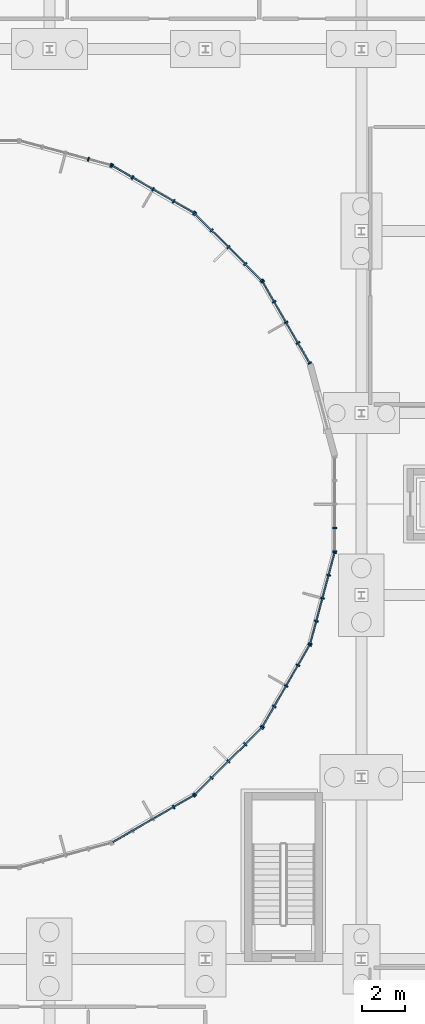
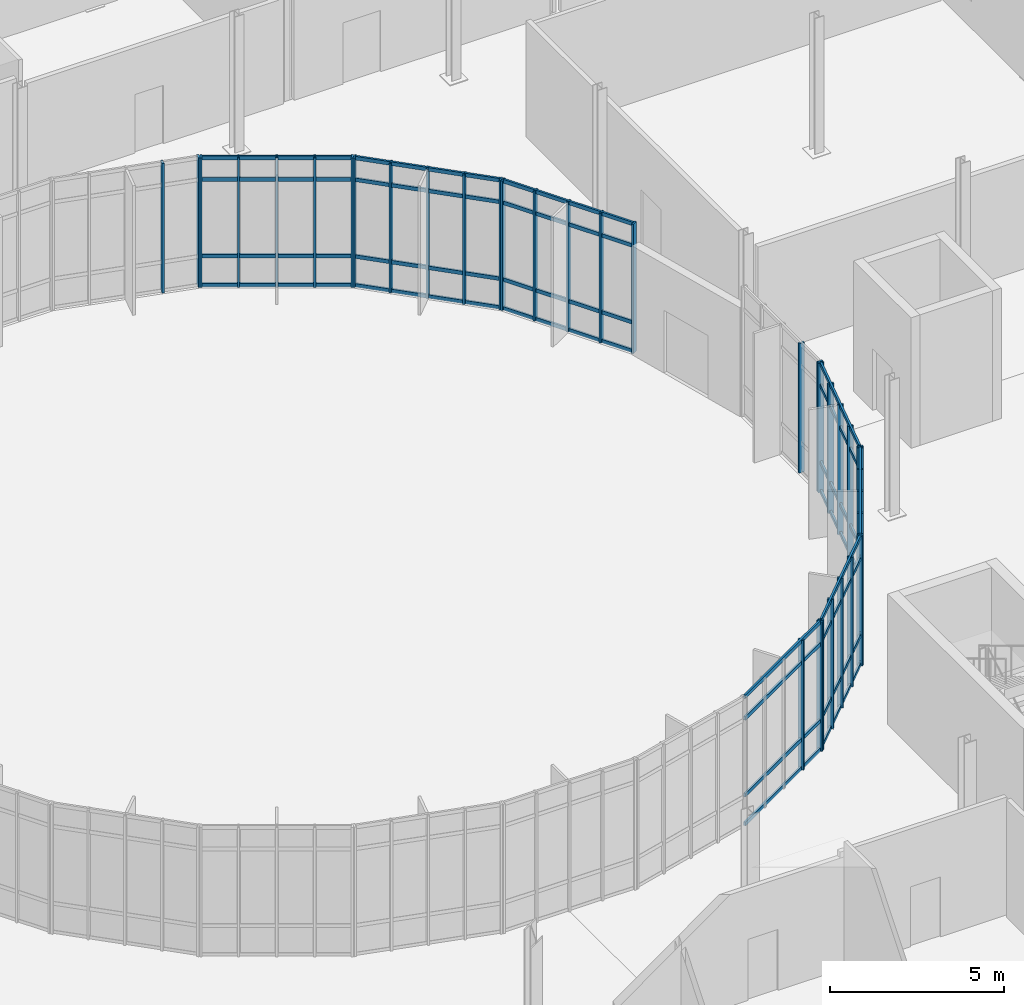
# One storey, part 51 of 118: 64 members, 9 elements without a shape of their own.
"""IFC4 building model written with IfcOpenShell, lengths in metres."""

from ifc_helpers import new_model, si_unit, direction, frame, origin, origin_2d, place, context, subcontext, project, spatial, rectangle, extrude, material, material_profile, profile_set, type_object, element, aggregate, save


model = new_model("IFC4")

# Units and contexts
model_context = context("Model", 3, precision=1e-05, world=origin(), true_north=direction((0.0, 1.0)))
body_context = subcontext(model_context, "Body", "Model", "MODEL_VIEW")
ifc_project = project(units=[si_unit("LENGTHUNIT", "METRE"), si_unit("AREAUNIT", "SQUARE_METRE"), si_unit("VOLUMEUNIT", "CUBIC_METRE"), si_unit("PLANEANGLEUNIT", "RADIAN"), si_unit("MASSUNIT", "GRAM", prefix="KILO")], contexts=[model_context])

# Site, building, storey
site_placement = place(None, origin())
site = spatial("IfcSite", under=ifc_project, at=site_placement, CompositionType="ELEMENT")
building_placement = place(site_placement, origin())
building = spatial("IfcBuilding", under=site, at=building_placement, Name="Qelthora Terrace Specialist Clinic", CompositionType="ELEMENT")
storey_placement = place(building_placement, origin())
storey = spatial("IfcBuildingStorey", under=building, at=storey_placement, Name="L00", CompositionType="ELEMENT", Elevation=0.0)

# Curtain wall, members
ifc_material = material(Name="Aluminium anodized bronze", Category="aluminium")
curtain_wall_type = type_object("IfcCurtainWallType", Name="CW-CRTE-L00", PredefinedType="NOTDEFINED", material=ifc_material)
curtain_wall_1_placement = place(storey_placement, origin())
curtain_wall_1 = element("IfcCurtainWall", 1, at=curtain_wall_1_placement, inside=storey, type_object=curtain_wall_type, Name="Curtain wall CW-CE-L00-02", PredefinedType="NOTDEFINED")
ifc_material_profile_1 = material_profile(ifc_material, rectangle(XDim=0.06494140625, YDim=0.179931640625, at=origin_2d()), Name="CWM65X180")
ifc_profile_set_1 = profile_set([ifc_material_profile_1], Name="Aluminium anodized bronze")
member_type_1 = type_object("IfcMemberType", Name="CWM-65X180", PredefinedType="MULLION", material=ifc_profile_set_1)
member_1_placement = place(storey_placement, frame((141.614990234375, 69.50634765625, 0.0), z_axis=(0.0, 0.0, 1.0), x_axis=(-0.500000028915, 0.86602538709, 0.0)))
member_1 = element("IfcMember", 2, at=member_1_placement, type_object=member_type_1, Name="CW-CE-L00-02 mullion 1", PredefinedType="MULLION", context=body_context, shape_type="SweptSolid", body=[
    extrude(rectangle(XDim=0.06494140625, YDim=0.179931640625, at=origin_2d()), origin(), (0.0, 0.0, 1.0), 4.544921875),
])
member_2_placement = place(storey_placement, frame((141.076904296875, 70.438720703125, 0.0), z_axis=(0.0, 0.0, 1.0), x_axis=(-0.500000028915, 0.86602538709, 0.0)))
member_2 = element("IfcMember", 3, at=member_2_placement, type_object=member_type_1, Name="CW-CE-L00-02 mullion 2", PredefinedType="MULLION", context=body_context, shape_type="SweptSolid", body=[
    extrude(rectangle(XDim=0.06494140625, YDim=0.179931640625, at=origin_2d()), origin(), (0.0, 0.0, 1.0), 4.544921875),
])
member_3_placement = place(storey_placement, frame((140.528564453125, 71.38818359375, 0.0), z_axis=(0.0, 0.0, 1.0), x_axis=(-0.500000028915, 0.86602538709, 0.0)))
member_3 = element("IfcMember", 4, at=member_3_placement, type_object=member_type_1, Name="CW-CE-L00-02 mullion 3", PredefinedType="MULLION", context=body_context, shape_type="SweptSolid", body=[
    extrude(rectangle(XDim=0.06494140625, YDim=0.179931640625, at=origin_2d()), origin(), (0.0, 0.0, 1.0), 4.544921875),
])
member_4_placement = place(storey_placement, frame((139.98046875, 72.337646484375, 0.0), z_axis=(0.0, 0.0, 1.0), x_axis=(-0.500000028915, 0.86602538709, 0.0)))
member_4 = element("IfcMember", 5, at=member_4_placement, type_object=member_type_1, Name="CW-CE-L00-02 mullion 4", PredefinedType="MULLION", context=body_context, shape_type="SweptSolid", body=[
    extrude(rectangle(XDim=0.06494140625, YDim=0.179931640625, at=origin_2d()), origin(), (0.0, 0.0, 1.0), 4.544921875),
])
member_5_placement = place(storey_placement, frame((139.442138671875, 73.269775390625, 0.0), z_axis=(0.0, 0.0, 1.0), x_axis=(-0.500000028915, 0.86602538709, 0.0)))
member_5 = element("IfcMember", 6, at=member_5_placement, type_object=member_type_1, Name="CW-CE-L00-02 mullion 5", PredefinedType="MULLION", context=body_context, shape_type="SweptSolid", body=[
    extrude(rectangle(XDim=0.06494140625, YDim=0.179931640625, at=origin_2d()), origin(), (0.0, 0.0, 1.0), 4.544921875),
])

curtain_wall_2_placement = place(storey_placement, origin())
curtain_wall_2 = element("IfcCurtainWall", 7, at=curtain_wall_2_placement, inside=storey, type_object=curtain_wall_type, Name="Curtain wall CW-CE-L00-03", PredefinedType="NOTDEFINED")
member_6_placement = place(storey_placement, frame((139.399169921875, 73.326171875, 0.0), z_axis=(0.0, 0.0, 1.0), x_axis=(-0.707106781187, 0.707106781187, 0.0)))
member_6 = element("IfcMember", 8, at=member_6_placement, type_object=member_type_1, Name="CW-CE-L00-03 mullion 1", PredefinedType="MULLION", context=body_context, shape_type="SweptSolid", body=[
    extrude(rectangle(XDim=0.06494140625, YDim=0.179931640625, at=origin_2d()), origin(), (0.0, 0.0, 1.0), 4.544921875),
])
member_7_placement = place(storey_placement, frame((138.637939453125, 74.08740234375, 0.0), z_axis=(0.0, 0.0, 1.0), x_axis=(-0.707106781187, 0.707106781187, 0.0)))
member_7 = element("IfcMember", 9, at=member_7_placement, type_object=member_type_1, Name="CW-CE-L00-03 mullion 2", PredefinedType="MULLION", context=body_context, shape_type="SweptSolid", body=[
    extrude(rectangle(XDim=0.06494140625, YDim=0.179931640625, at=origin_2d()), origin(), (0.0, 0.0, 1.0), 4.544921875),
])
member_8_placement = place(storey_placement, frame((137.862548828125, 74.862548828125, 0.0), z_axis=(0.0, 0.0, 1.0), x_axis=(-0.707106781187, 0.707106781187, 0.0)))
member_8 = element("IfcMember", 10, at=member_8_placement, type_object=member_type_1, Name="CW-CE-L00-03 mullion 3", PredefinedType="MULLION", context=body_context, shape_type="SweptSolid", body=[
    extrude(rectangle(XDim=0.06494140625, YDim=0.179931640625, at=origin_2d()), origin(), (0.0, 0.0, 1.0), 4.544921875),
])
member_9_placement = place(storey_placement, frame((137.08740234375, 75.637939453125, 0.0), z_axis=(0.0, 0.0, 1.0), x_axis=(-0.707106781187, 0.707106781187, 0.0)))
member_9 = element("IfcMember", 11, at=member_9_placement, type_object=member_type_1, Name="CW-CE-L00-03 mullion 4", PredefinedType="MULLION", context=body_context, shape_type="SweptSolid", body=[
    extrude(rectangle(XDim=0.06494140625, YDim=0.179931640625, at=origin_2d()), origin(), (0.0, 0.0, 1.0), 4.544921875),
])
member_10_placement = place(storey_placement, frame((136.326171875, 76.399169921875, 0.0), z_axis=(0.0, 0.0, 1.0), x_axis=(-0.707106781187, 0.707106781187, 0.0)))
member_10 = element("IfcMember", 12, at=member_10_placement, type_object=member_type_1, Name="CW-CE-L00-03 mullion 5", PredefinedType="MULLION", context=body_context, shape_type="SweptSolid", body=[
    extrude(rectangle(XDim=0.06494140625, YDim=0.179931640625, at=origin_2d()), origin(), (0.0, 0.0, 1.0), 4.544921875),
])

curtain_wall_3_placement = place(storey_placement, origin())
curtain_wall_3 = element("IfcCurtainWall", 13, at=curtain_wall_3_placement, inside=storey, type_object=curtain_wall_type, Name="Curtain wall CW-CE-L00-04", PredefinedType="NOTDEFINED")
member_11_placement = place(storey_placement, frame((136.269775390625, 76.442138671875, 0.0), z_axis=(0.0, 0.0, 1.0), x_axis=(-0.86602538709, 0.500000028915, 0.0)))
member_11 = element("IfcMember", 14, at=member_11_placement, type_object=member_type_1, Name="CW-CE-L00-04 mullion 1", PredefinedType="MULLION", context=body_context, shape_type="SweptSolid", body=[
    extrude(rectangle(XDim=0.06494140625, YDim=0.179931640625, at=origin_2d()), origin(), (0.0, 0.0, 1.0), 4.544921875),
])
member_12_placement = place(storey_placement, frame((135.337646484375, 76.98046875, 0.0), z_axis=(0.0, 0.0, 1.0), x_axis=(-0.86602538709, 0.500000028915, 0.0)))
member_12 = element("IfcMember", 15, at=member_12_placement, type_object=member_type_1, Name="CW-CE-L00-04 mullion 2", PredefinedType="MULLION", context=body_context, shape_type="SweptSolid", body=[
    extrude(rectangle(XDim=0.06494140625, YDim=0.179931640625, at=origin_2d()), origin(), (0.0, 0.0, 1.0), 4.544921875),
])
member_13_placement = place(storey_placement, frame((134.38818359375, 77.528564453125, 0.0), z_axis=(0.0, 0.0, 1.0), x_axis=(-0.86602538709, 0.500000028915, 0.0)))
member_13 = element("IfcMember", 16, at=member_13_placement, type_object=member_type_1, Name="CW-CE-L00-04 mullion 3", PredefinedType="MULLION", context=body_context, shape_type="SweptSolid", body=[
    extrude(rectangle(XDim=0.06494140625, YDim=0.179931640625, at=origin_2d()), origin(), (0.0, 0.0, 1.0), 4.544921875),
])
member_14_placement = place(storey_placement, frame((133.438720703125, 78.076904296875, 0.0), z_axis=(0.0, 0.0, 1.0), x_axis=(-0.86602538709, 0.500000028915, 0.0)))
member_14 = element("IfcMember", 17, at=member_14_placement, type_object=member_type_1, Name="CW-CE-L00-04 mullion 4", PredefinedType="MULLION", context=body_context, shape_type="SweptSolid", body=[
    extrude(rectangle(XDim=0.06494140625, YDim=0.179931640625, at=origin_2d()), origin(), (0.0, 0.0, 1.0), 4.544921875),
])
member_15_placement = place(storey_placement, frame((132.50634765625, 78.614990234375, 0.0), z_axis=(0.0, 0.0, 1.0), x_axis=(-0.86602538709, 0.500000028915, 0.0)))
member_15 = element("IfcMember", 18, at=member_15_placement, type_object=member_type_1, Name="CW-CE-L00-04 mullion 5", PredefinedType="MULLION", context=body_context, shape_type="SweptSolid", body=[
    extrude(rectangle(XDim=0.06494140625, YDim=0.179931640625, at=origin_2d()), origin(), (0.0, 0.0, 1.0), 4.544921875),
])

curtain_wall_4_placement = place(storey_placement, origin())
curtain_wall_4 = element("IfcCurtainWall", 19, at=curtain_wall_4_placement, inside=storey, type_object=curtain_wall_type, Name="Curtain wall CW-CE-L00-05", PredefinedType="NOTDEFINED")
member_16_placement = place(storey_placement, frame((132.44091796875, 78.642333984375, 0.0), z_axis=(0.0, 0.0, 1.0), x_axis=(-0.965925660235, 0.258819664824, 0.0)))
member_16 = element("IfcMember", 20, at=member_16_placement, type_object=member_type_1, Name="CW-CE-L00-05 mullion 1", PredefinedType="MULLION", context=body_context, shape_type="SweptSolid", body=[
    extrude(rectangle(XDim=0.06494140625, YDim=0.179931640625, at=origin_2d()), origin(), (0.0, 0.0, 1.0), 4.544921875),
])
member_17_placement = place(storey_placement, frame((131.401123046875, 78.9208984375, 0.0), z_axis=(0.0, 0.0, 1.0), x_axis=(-0.965925660235, 0.258819664824, 0.0)))
member_17 = element("IfcMember", 21, at=member_17_placement, type_object=member_type_1, Name="CW-CE-L00-05 mullion 2", PredefinedType="MULLION", context=body_context, shape_type="SweptSolid", body=[
    extrude(rectangle(XDim=0.06494140625, YDim=0.179931640625, at=origin_2d()), origin(), (0.0, 0.0, 1.0), 4.544921875),
])
aggregate(curtain_wall_4, [member_16, member_17])

curtain_wall_5_placement = place(storey_placement, origin())
curtain_wall_5 = element("IfcCurtainWall", 22, at=curtain_wall_5_placement, inside=storey, type_object=curtain_wall_type, Name="Curtain wall CW-CE-L00-20", PredefinedType="NOTDEFINED")
member_18_placement = place(storey_placement, frame((135.337646484375, 49.01953125, 0.0), z_axis=(0.0, 0.0, 1.0), x_axis=(0.86602538709, 0.500000028915, 0.0)))
member_18 = element("IfcMember", 23, at=member_18_placement, type_object=member_type_1, Name="CW-CE-L00-20 mullion 4", PredefinedType="MULLION", context=body_context, shape_type="SweptSolid", body=[
    extrude(rectangle(XDim=0.06494140625, YDim=0.179931640625, at=origin_2d()), origin(), (0.0, 0.0, 1.0), 4.544921875),
])
member_19_placement = place(storey_placement, frame((136.269775390625, 49.557861328125, 0.0), z_axis=(0.0, 0.0, 1.0), x_axis=(0.86602538709, 0.500000028915, 0.0)))
member_19 = element("IfcMember", 24, at=member_19_placement, type_object=member_type_1, Name="CW-CE-L00-20 mullion 5", PredefinedType="MULLION", context=body_context, shape_type="SweptSolid", body=[
    extrude(rectangle(XDim=0.06494140625, YDim=0.179931640625, at=origin_2d()), origin(), (0.0, 0.0, 1.0), 4.544921875),
])

curtain_wall_6_placement = place(storey_placement, origin())
curtain_wall_6 = element("IfcCurtainWall", 25, at=curtain_wall_6_placement, inside=storey, type_object=curtain_wall_type, Name="Curtain wall CW-CE-L00-21", PredefinedType="NOTDEFINED")
member_20_placement = place(storey_placement, frame((136.326171875, 49.600830078125, 0.0), z_axis=(0.0, 0.0, 1.0), x_axis=(0.707106781187, 0.707106781187, 0.0)))
member_20 = element("IfcMember", 26, at=member_20_placement, type_object=member_type_1, Name="CW-CE-L00-21 mullion 1", PredefinedType="MULLION", context=body_context, shape_type="SweptSolid", body=[
    extrude(rectangle(XDim=0.06494140625, YDim=0.179931640625, at=origin_2d()), origin(), (0.0, 0.0, 1.0), 4.544921875),
])
member_21_placement = place(storey_placement, frame((137.08740234375, 50.362060546875, 0.0), z_axis=(0.0, 0.0, 1.0), x_axis=(0.707106781187, 0.707106781187, 0.0)))
member_21 = element("IfcMember", 27, at=member_21_placement, type_object=member_type_1, Name="CW-CE-L00-21 mullion 2", PredefinedType="MULLION", context=body_context, shape_type="SweptSolid", body=[
    extrude(rectangle(XDim=0.06494140625, YDim=0.179931640625, at=origin_2d()), origin(), (0.0, 0.0, 1.0), 4.544921875),
])
member_22_placement = place(storey_placement, frame((137.862548828125, 51.137451171875, 0.0), z_axis=(0.0, 0.0, 1.0), x_axis=(0.707106781187, 0.707106781187, 0.0)))
member_22 = element("IfcMember", 28, at=member_22_placement, type_object=member_type_1, Name="CW-CE-L00-21 mullion 3", PredefinedType="MULLION", context=body_context, shape_type="SweptSolid", body=[
    extrude(rectangle(XDim=0.06494140625, YDim=0.179931640625, at=origin_2d()), origin(), (0.0, 0.0, 1.0), 4.544921875),
])
member_23_placement = place(storey_placement, frame((138.637939453125, 51.91259765625, 0.0), z_axis=(0.0, 0.0, 1.0), x_axis=(0.707106781187, 0.707106781187, 0.0)))
member_23 = element("IfcMember", 29, at=member_23_placement, type_object=member_type_1, Name="CW-CE-L00-21 mullion 4", PredefinedType="MULLION", context=body_context, shape_type="SweptSolid", body=[
    extrude(rectangle(XDim=0.06494140625, YDim=0.179931640625, at=origin_2d()), origin(), (0.0, 0.0, 1.0), 4.544921875),
])
member_24_placement = place(storey_placement, frame((139.399169921875, 52.673828125, 0.0), z_axis=(0.0, 0.0, 1.0), x_axis=(0.707106781187, 0.707106781187, 0.0)))
member_24 = element("IfcMember", 30, at=member_24_placement, type_object=member_type_1, Name="CW-CE-L00-21 mullion 5", PredefinedType="MULLION", context=body_context, shape_type="SweptSolid", body=[
    extrude(rectangle(XDim=0.06494140625, YDim=0.179931640625, at=origin_2d()), origin(), (0.0, 0.0, 1.0), 4.544921875),
])

curtain_wall_7_placement = place(storey_placement, origin())
curtain_wall_7 = element("IfcCurtainWall", 31, at=curtain_wall_7_placement, inside=storey, type_object=curtain_wall_type, Name="Curtain wall CW-CE-L00-22", PredefinedType="NOTDEFINED")
member_25_placement = place(storey_placement, frame((139.442138671875, 52.730224609375, 0.0), z_axis=(0.0, 0.0, 1.0), x_axis=(0.500000028915, 0.86602538709, 0.0)))
member_25 = element("IfcMember", 32, at=member_25_placement, type_object=member_type_1, Name="CW-CE-L00-22 mullion 1", PredefinedType="MULLION", context=body_context, shape_type="SweptSolid", body=[
    extrude(rectangle(XDim=0.06494140625, YDim=0.179931640625, at=origin_2d()), origin(), (0.0, 0.0, 1.0), 4.544921875),
])
member_26_placement = place(storey_placement, frame((139.98046875, 53.662353515625, 0.0), z_axis=(0.0, 0.0, 1.0), x_axis=(0.500000028915, 0.86602538709, 0.0)))
member_26 = element("IfcMember", 33, at=member_26_placement, type_object=member_type_1, Name="CW-CE-L00-22 mullion 2", PredefinedType="MULLION", context=body_context, shape_type="SweptSolid", body=[
    extrude(rectangle(XDim=0.06494140625, YDim=0.179931640625, at=origin_2d()), origin(), (0.0, 0.0, 1.0), 4.544921875),
])
member_27_placement = place(storey_placement, frame((140.528564453125, 54.61181640625, 0.0), z_axis=(0.0, 0.0, 1.0), x_axis=(0.500000028915, 0.86602538709, 0.0)))
member_27 = element("IfcMember", 34, at=member_27_placement, type_object=member_type_1, Name="CW-CE-L00-22 mullion 3", PredefinedType="MULLION", context=body_context, shape_type="SweptSolid", body=[
    extrude(rectangle(XDim=0.06494140625, YDim=0.179931640625, at=origin_2d()), origin(), (0.0, 0.0, 1.0), 4.544921875),
])
member_28_placement = place(storey_placement, frame((141.076904296875, 55.561279296875, 0.0), z_axis=(0.0, 0.0, 1.0), x_axis=(0.500000028915, 0.86602538709, 0.0)))
member_28 = element("IfcMember", 35, at=member_28_placement, type_object=member_type_1, Name="CW-CE-L00-22 mullion 4", PredefinedType="MULLION", context=body_context, shape_type="SweptSolid", body=[
    extrude(rectangle(XDim=0.06494140625, YDim=0.179931640625, at=origin_2d()), origin(), (0.0, 0.0, 1.0), 4.544921875),
])
member_29_placement = place(storey_placement, frame((141.614990234375, 56.49365234375, 0.0), z_axis=(0.0, 0.0, 1.0), x_axis=(0.500000028915, 0.86602538709, 0.0)))
member_29 = element("IfcMember", 36, at=member_29_placement, type_object=member_type_1, Name="CW-CE-L00-22 mullion 5", PredefinedType="MULLION", context=body_context, shape_type="SweptSolid", body=[
    extrude(rectangle(XDim=0.06494140625, YDim=0.179931640625, at=origin_2d()), origin(), (0.0, 0.0, 1.0), 4.544921875),
])

curtain_wall_8_placement = place(storey_placement, origin())
curtain_wall_8 = element("IfcCurtainWall", 37, at=curtain_wall_8_placement, inside=storey, type_object=curtain_wall_type, Name="Curtain wall CW-CE-L00-23", PredefinedType="NOTDEFINED")
member_30_placement = place(storey_placement, frame((141.642333984375, 56.55908203125, 0.0), z_axis=(0.0, 0.0, 1.0), x_axis=(0.258819664824, 0.965925660235, 0.0)))
member_30 = element("IfcMember", 38, at=member_30_placement, type_object=member_type_1, Name="CW-CE-L00-23 mullion 1", PredefinedType="MULLION", context=body_context, shape_type="SweptSolid", body=[
    extrude(rectangle(XDim=0.06494140625, YDim=0.179931640625, at=origin_2d()), origin(), (0.0, 0.0, 1.0), 4.544921875),
])
member_31_placement = place(storey_placement, frame((141.9208984375, 57.598876953125, 0.0), z_axis=(0.0, 0.0, 1.0), x_axis=(0.258819664824, 0.965925660235, 0.0)))
member_31 = element("IfcMember", 39, at=member_31_placement, type_object=member_type_1, Name="CW-CE-L00-23 mullion 2", PredefinedType="MULLION", context=body_context, shape_type="SweptSolid", body=[
    extrude(rectangle(XDim=0.06494140625, YDim=0.179931640625, at=origin_2d()), origin(), (0.0, 0.0, 1.0), 4.544921875),
])
member_32_placement = place(storey_placement, frame((142.20458984375, 58.657958984375, 0.0), z_axis=(0.0, 0.0, 1.0), x_axis=(0.258819664824, 0.965925660235, 0.0)))
member_32 = element("IfcMember", 40, at=member_32_placement, type_object=member_type_1, Name="CW-CE-L00-23 mullion 3", PredefinedType="MULLION", context=body_context, shape_type="SweptSolid", body=[
    extrude(rectangle(XDim=0.06494140625, YDim=0.179931640625, at=origin_2d()), origin(), (0.0, 0.0, 1.0), 4.544921875),
])
member_33_placement = place(storey_placement, frame((142.488525390625, 59.717041015625, 0.0), z_axis=(0.0, 0.0, 1.0), x_axis=(0.258819664824, 0.965925660235, 0.0)))
member_33 = element("IfcMember", 41, at=member_33_placement, type_object=member_type_1, Name="CW-CE-L00-23 mullion 4", PredefinedType="MULLION", context=body_context, shape_type="SweptSolid", body=[
    extrude(rectangle(XDim=0.06494140625, YDim=0.179931640625, at=origin_2d()), origin(), (0.0, 0.0, 1.0), 4.544921875),
])
member_34_placement = place(storey_placement, frame((142.76708984375, 60.7568359375, 0.0), z_axis=(0.0, 0.0, 1.0), x_axis=(0.258819664824, 0.965925660235, 0.0)))
member_34 = element("IfcMember", 42, at=member_34_placement, type_object=member_type_1, Name="CW-CE-L00-23 mullion 5", PredefinedType="MULLION", context=body_context, shape_type="SweptSolid", body=[
    extrude(rectangle(XDim=0.06494140625, YDim=0.179931640625, at=origin_2d()), origin(), (0.0, 0.0, 1.0), 4.544921875),
])

curtain_wall_9_placement = place(storey_placement, origin())
curtain_wall_9 = element("IfcCurtainWall", 43, at=curtain_wall_9_placement, inside=storey, type_object=curtain_wall_type, Name="Curtain wall CW-CE-L00-24", PredefinedType="NOTDEFINED")
member_35_placement = place(storey_placement, frame((142.7763671875, 60.8271484375, 0.0), z_axis=(0.0, 0.0, 1.0), x_axis=(0.0, 1.0, 0.0)))
member_35 = element("IfcMember", 44, at=member_35_placement, type_object=member_type_1, Name="CW-CE-L00-24 mullion 1", PredefinedType="MULLION", context=body_context, shape_type="SweptSolid", body=[
    extrude(rectangle(XDim=0.06494140625, YDim=0.179931640625, at=origin_2d()), origin(), (0.0, 0.0, 1.0), 4.544921875),
])
member_36_placement = place(storey_placement, frame((142.7763671875, 61.903564453125, 0.0), z_axis=(0.0, 0.0, 1.0), x_axis=(0.0, 1.0, 0.0)))
member_36 = element("IfcMember", 45, at=member_36_placement, type_object=member_type_1, Name="CW-CE-L00-24 mullion 2", PredefinedType="MULLION", context=body_context, shape_type="SweptSolid", body=[
    extrude(rectangle(XDim=0.06494140625, YDim=0.179931640625, at=origin_2d()), origin(), (0.0, 0.0, 1.0), 4.544921875),
])
aggregate(curtain_wall_9, [member_35, member_36])

# Member
ifc_material_profile_2 = material_profile(ifc_material, rectangle(XDim=0.06494140625, YDim=0.1298828125, at=origin_2d()), Name="CWT65X130")
ifc_profile_set_2 = profile_set([ifc_material_profile_2], Name="Aluminium anodized bronze")
member_type_2 = type_object("IfcMemberType", Name="CWT-65X130", PredefinedType="USERDEFINED", material=ifc_profile_set_2)
member_37_placement = place(storey_placement, frame((141.60498046875, 69.523681640625, 0.0400390625), z_axis=(-0.500005500391, 0.866022228109, 0.0), x_axis=(-0.866022228109, -0.500005500391, 0.0)))
member_37 = element("IfcMember", 46, at=member_37_placement, type_object=member_type_2, Name="CW-CE-L00-02 transom 1", ObjectType="TRANSOM", PredefinedType="USERDEFINED", context=body_context, shape_type="SweptSolid", body=[
    extrude(rectangle(XDim=0.06494140625, YDim=0.1298828125, at=origin_2d()), origin(), (0.0, 0.0, 1.0), 4.3056640625),
])

member_38_placement = place(storey_placement, frame((141.60498046875, 69.523681640625, 1.050048828125), z_axis=(-0.500005500391, 0.866022228109, 0.0), x_axis=(-0.866022228109, -0.500005500391, 0.0)))
member_38 = element("IfcMember", 47, at=member_38_placement, type_object=member_type_2, Name="CW-CE-L00-02 transom 2", ObjectType="TRANSOM", PredefinedType="USERDEFINED", context=body_context, shape_type="SweptSolid", body=[
    extrude(rectangle(XDim=0.06494140625, YDim=0.1298828125, at=origin_2d()), origin(), (0.0, 0.0, 1.0), 4.3056640625),
])

member_39_placement = place(storey_placement, frame((141.60498046875, 69.523681640625, 3.7451171875), z_axis=(-0.500005500391, 0.866022228109, 0.0), x_axis=(-0.866022228109, -0.500005500391, 0.0)))
member_39 = element("IfcMember", 48, at=member_39_placement, type_object=member_type_2, Name="CW-CE-L00-02 transom 3", ObjectType="TRANSOM", PredefinedType="USERDEFINED", context=body_context, shape_type="SweptSolid", body=[
    extrude(rectangle(XDim=0.06494140625, YDim=0.1298828125, at=origin_2d()), origin(), (0.0, 0.0, 1.0), 4.3056640625),
])

member_40_placement = place(storey_placement, frame((141.60498046875, 69.523681640625, 4.5048828125), z_axis=(-0.500005500391, 0.866022228109, 0.0), x_axis=(-0.866022228109, -0.500005500391, 0.0)))
member_40 = element("IfcMember", 49, at=member_40_placement, type_object=member_type_2, Name="CW-CE-L00-02 transom 4", ObjectType="TRANSOM", PredefinedType="USERDEFINED", context=body_context, shape_type="SweptSolid", body=[
    extrude(rectangle(XDim=0.06494140625, YDim=0.1298828125, at=origin_2d()), origin(), (0.0, 0.0, 1.0), 4.3056640625),
])

aggregate(curtain_wall_1, [member_1, member_2, member_3, member_4, member_5, member_37, member_38, member_39, member_40])

member_41_placement = place(storey_placement, frame((139.385009765625, 73.34033203125, 0.0400390625), z_axis=(-0.707106781187, 0.707106781187, 0.0), x_axis=(-0.707106781187, -0.707106781187, 0.0)))
member_41 = element("IfcMember", 50, at=member_41_placement, type_object=member_type_2, Name="CW-CE-L00-03 transom 1", ObjectType="TRANSOM", PredefinedType="USERDEFINED", context=body_context, shape_type="SweptSolid", body=[
    extrude(rectangle(XDim=0.06494140625, YDim=0.1298828125, at=origin_2d()), origin(), (0.0, 0.0, 1.0), 4.305908203125),
])

member_42_placement = place(storey_placement, frame((139.385009765625, 73.34033203125, 1.050048828125), z_axis=(-0.707106781187, 0.707106781187, 0.0), x_axis=(-0.707106781187, -0.707106781187, 0.0)))
member_42 = element("IfcMember", 51, at=member_42_placement, type_object=member_type_2, Name="CW-CE-L00-03 transom 2", ObjectType="TRANSOM", PredefinedType="USERDEFINED", context=body_context, shape_type="SweptSolid", body=[
    extrude(rectangle(XDim=0.06494140625, YDim=0.1298828125, at=origin_2d()), origin(), (0.0, 0.0, 1.0), 4.305908203125),
])

member_43_placement = place(storey_placement, frame((139.385009765625, 73.34033203125, 3.7451171875), z_axis=(-0.707106781187, 0.707106781187, 0.0), x_axis=(-0.707106781187, -0.707106781187, 0.0)))
member_43 = element("IfcMember", 52, at=member_43_placement, type_object=member_type_2, Name="CW-CE-L00-03 transom 3", ObjectType="TRANSOM", PredefinedType="USERDEFINED", context=body_context, shape_type="SweptSolid", body=[
    extrude(rectangle(XDim=0.06494140625, YDim=0.1298828125, at=origin_2d()), origin(), (0.0, 0.0, 1.0), 4.305908203125),
])

member_44_placement = place(storey_placement, frame((139.385009765625, 73.34033203125, 4.5048828125), z_axis=(-0.707106781187, 0.707106781187, 0.0), x_axis=(-0.707106781187, -0.707106781187, 0.0)))
member_44 = element("IfcMember", 53, at=member_44_placement, type_object=member_type_2, Name="CW-CE-L00-03 transom 4", ObjectType="TRANSOM", PredefinedType="USERDEFINED", context=body_context, shape_type="SweptSolid", body=[
    extrude(rectangle(XDim=0.06494140625, YDim=0.1298828125, at=origin_2d()), origin(), (0.0, 0.0, 1.0), 4.305908203125),
])

aggregate(curtain_wall_2, [member_6, member_7, member_8, member_9, member_10, member_41, member_42, member_43, member_44])

member_45_placement = place(storey_placement, frame((136.25244140625, 76.4521484375, 0.0400390625), z_axis=(-0.866022228109, 0.500005500391, 0.0), x_axis=(-0.500005500391, -0.866022228109, 0.0)))
member_45 = element("IfcMember", 54, at=member_45_placement, type_object=member_type_2, Name="CW-CE-L00-04 transom 1", ObjectType="TRANSOM", PredefinedType="USERDEFINED", context=body_context, shape_type="SweptSolid", body=[
    extrude(rectangle(XDim=0.06494140625, YDim=0.1298828125, at=origin_2d()), origin(), (0.0, 0.0, 1.0), 4.3056640625),
])

member_46_placement = place(storey_placement, frame((136.25244140625, 76.4521484375, 1.050048828125), z_axis=(-0.866022228109, 0.500005500391, 0.0), x_axis=(-0.500005500391, -0.866022228109, 0.0)))
member_46 = element("IfcMember", 55, at=member_46_placement, type_object=member_type_2, Name="CW-CE-L00-04 transom 2", ObjectType="TRANSOM", PredefinedType="USERDEFINED", context=body_context, shape_type="SweptSolid", body=[
    extrude(rectangle(XDim=0.06494140625, YDim=0.1298828125, at=origin_2d()), origin(), (0.0, 0.0, 1.0), 4.3056640625),
])

member_47_placement = place(storey_placement, frame((136.25244140625, 76.4521484375, 3.7451171875), z_axis=(-0.866022228109, 0.500005500391, 0.0), x_axis=(-0.500005500391, -0.866022228109, 0.0)))
member_47 = element("IfcMember", 56, at=member_47_placement, type_object=member_type_2, Name="CW-CE-L00-04 transom 3", ObjectType="TRANSOM", PredefinedType="USERDEFINED", context=body_context, shape_type="SweptSolid", body=[
    extrude(rectangle(XDim=0.06494140625, YDim=0.1298828125, at=origin_2d()), origin(), (0.0, 0.0, 1.0), 4.3056640625),
])

member_48_placement = place(storey_placement, frame((136.25244140625, 76.4521484375, 4.5048828125), z_axis=(-0.866022228109, 0.500005500391, 0.0), x_axis=(-0.500005500391, -0.866022228109, 0.0)))
member_48 = element("IfcMember", 57, at=member_48_placement, type_object=member_type_2, Name="CW-CE-L00-04 transom 4", ObjectType="TRANSOM", PredefinedType="USERDEFINED", context=body_context, shape_type="SweptSolid", body=[
    extrude(rectangle(XDim=0.06494140625, YDim=0.1298828125, at=origin_2d()), origin(), (0.0, 0.0, 1.0), 4.3056640625),
])

aggregate(curtain_wall_3, [member_11, member_12, member_13, member_14, member_15, member_45, member_46, member_47, member_48])

member_49_placement = place(storey_placement, frame((132.523681640625, 47.39501953125, 0.0400390625), z_axis=(0.866022228109, 0.500005500391, 0.0), x_axis=(-0.500005500391, 0.866022228109, 0.0)))
member_49 = element("IfcMember", 58, at=member_49_placement, type_object=member_type_2, Name="CW-CE-L00-20 transom 1", ObjectType="TRANSOM", PredefinedType="USERDEFINED", context=body_context, shape_type="SweptSolid", body=[
    extrude(rectangle(XDim=0.06494140625, YDim=0.1298828125, at=origin_2d()), origin(), (0.0, 0.0, 1.0), 4.3056640625),
])

member_50_placement = place(storey_placement, frame((132.523681640625, 47.39501953125, 1.050048828125), z_axis=(0.866022228109, 0.500005500391, 0.0), x_axis=(-0.500005500391, 0.866022228109, 0.0)))
member_50 = element("IfcMember", 59, at=member_50_placement, type_object=member_type_2, Name="CW-CE-L00-20 transom 2", ObjectType="TRANSOM", PredefinedType="USERDEFINED", context=body_context, shape_type="SweptSolid", body=[
    extrude(rectangle(XDim=0.06494140625, YDim=0.1298828125, at=origin_2d()), origin(), (0.0, 0.0, 1.0), 4.3056640625),
])

member_51_placement = place(storey_placement, frame((132.523681640625, 47.39501953125, 3.7451171875), z_axis=(0.866022228109, 0.500005500391, 0.0), x_axis=(-0.500005500391, 0.866022228109, 0.0)))
member_51 = element("IfcMember", 60, at=member_51_placement, type_object=member_type_2, Name="CW-CE-L00-20 transom 3", ObjectType="TRANSOM", PredefinedType="USERDEFINED", context=body_context, shape_type="SweptSolid", body=[
    extrude(rectangle(XDim=0.06494140625, YDim=0.1298828125, at=origin_2d()), origin(), (0.0, 0.0, 1.0), 4.3056640625),
])

member_52_placement = place(storey_placement, frame((132.523681640625, 47.39501953125, 4.5048828125), z_axis=(0.866022228109, 0.500005500391, 0.0), x_axis=(-0.500005500391, 0.866022228109, 0.0)))
member_52 = element("IfcMember", 61, at=member_52_placement, type_object=member_type_2, Name="CW-CE-L00-20 transom 4", ObjectType="TRANSOM", PredefinedType="USERDEFINED", context=body_context, shape_type="SweptSolid", body=[
    extrude(rectangle(XDim=0.06494140625, YDim=0.1298828125, at=origin_2d()), origin(), (0.0, 0.0, 1.0), 4.3056640625),
])

aggregate(curtain_wall_5, [member_18, member_19, member_49, member_50, member_51, member_52])

member_53_placement = place(storey_placement, frame((136.34033203125, 49.614990234375, 0.0400390625), z_axis=(0.707106781187, 0.707106781187, 0.0), x_axis=(-0.707106781187, 0.707106781187, 0.0)))
member_53 = element("IfcMember", 62, at=member_53_placement, type_object=member_type_2, Name="CW-CE-L00-21 transom 1", ObjectType="TRANSOM", PredefinedType="USERDEFINED", context=body_context, shape_type="SweptSolid", body=[
    extrude(rectangle(XDim=0.06494140625, YDim=0.1298828125, at=origin_2d()), origin(), (0.0, 0.0, 1.0), 4.305908203125),
])

member_54_placement = place(storey_placement, frame((136.34033203125, 49.614990234375, 1.050048828125), z_axis=(0.707106781187, 0.707106781187, 0.0), x_axis=(-0.707106781187, 0.707106781187, 0.0)))
member_54 = element("IfcMember", 63, at=member_54_placement, type_object=member_type_2, Name="CW-CE-L00-21 transom 2", ObjectType="TRANSOM", PredefinedType="USERDEFINED", context=body_context, shape_type="SweptSolid", body=[
    extrude(rectangle(XDim=0.06494140625, YDim=0.1298828125, at=origin_2d()), origin(), (0.0, 0.0, 1.0), 4.305908203125),
])

member_55_placement = place(storey_placement, frame((136.34033203125, 49.614990234375, 3.7451171875), z_axis=(0.707106781187, 0.707106781187, 0.0), x_axis=(-0.707106781187, 0.707106781187, 0.0)))
member_55 = element("IfcMember", 64, at=member_55_placement, type_object=member_type_2, Name="CW-CE-L00-21 transom 3", ObjectType="TRANSOM", PredefinedType="USERDEFINED", context=body_context, shape_type="SweptSolid", body=[
    extrude(rectangle(XDim=0.06494140625, YDim=0.1298828125, at=origin_2d()), origin(), (0.0, 0.0, 1.0), 4.305908203125),
])

member_56_placement = place(storey_placement, frame((136.34033203125, 49.614990234375, 4.5048828125), z_axis=(0.707106781187, 0.707106781187, 0.0), x_axis=(-0.707106781187, 0.707106781187, 0.0)))
member_56 = element("IfcMember", 65, at=member_56_placement, type_object=member_type_2, Name="CW-CE-L00-21 transom 4", ObjectType="TRANSOM", PredefinedType="USERDEFINED", context=body_context, shape_type="SweptSolid", body=[
    extrude(rectangle(XDim=0.06494140625, YDim=0.1298828125, at=origin_2d()), origin(), (0.0, 0.0, 1.0), 4.305908203125),
])

aggregate(curtain_wall_6, [member_20, member_21, member_22, member_23, member_24, member_53, member_54, member_55, member_56])

member_57_placement = place(storey_placement, frame((139.4521484375, 52.74755859375, 0.0400390625), z_axis=(0.500005500391, 0.866022228109, 0.0), x_axis=(-0.866022228109, 0.500005500391, 0.0)))
member_57 = element("IfcMember", 66, at=member_57_placement, type_object=member_type_2, Name="CW-CE-L00-22 transom 1", ObjectType="TRANSOM", PredefinedType="USERDEFINED", context=body_context, shape_type="SweptSolid", body=[
    extrude(rectangle(XDim=0.06494140625, YDim=0.1298828125, at=origin_2d()), origin(), (0.0, 0.0, 1.0), 4.3056640625),
])

member_58_placement = place(storey_placement, frame((139.4521484375, 52.74755859375, 1.050048828125), z_axis=(0.500005500391, 0.866022228109, 0.0), x_axis=(-0.866022228109, 0.500005500391, 0.0)))
member_58 = element("IfcMember", 67, at=member_58_placement, type_object=member_type_2, Name="CW-CE-L00-22 transom 2", ObjectType="TRANSOM", PredefinedType="USERDEFINED", context=body_context, shape_type="SweptSolid", body=[
    extrude(rectangle(XDim=0.06494140625, YDim=0.1298828125, at=origin_2d()), origin(), (0.0, 0.0, 1.0), 4.3056640625),
])

member_59_placement = place(storey_placement, frame((139.4521484375, 52.74755859375, 3.7451171875), z_axis=(0.500005500391, 0.866022228109, 0.0), x_axis=(-0.866022228109, 0.500005500391, 0.0)))
member_59 = element("IfcMember", 68, at=member_59_placement, type_object=member_type_2, Name="CW-CE-L00-22 transom 3", ObjectType="TRANSOM", PredefinedType="USERDEFINED", context=body_context, shape_type="SweptSolid", body=[
    extrude(rectangle(XDim=0.06494140625, YDim=0.1298828125, at=origin_2d()), origin(), (0.0, 0.0, 1.0), 4.3056640625),
])

member_60_placement = place(storey_placement, frame((139.4521484375, 52.74755859375, 4.5048828125), z_axis=(0.500005500391, 0.866022228109, 0.0), x_axis=(-0.866022228109, 0.500005500391, 0.0)))
member_60 = element("IfcMember", 69, at=member_60_placement, type_object=member_type_2, Name="CW-CE-L00-22 transom 4", ObjectType="TRANSOM", PredefinedType="USERDEFINED", context=body_context, shape_type="SweptSolid", body=[
    extrude(rectangle(XDim=0.06494140625, YDim=0.1298828125, at=origin_2d()), origin(), (0.0, 0.0, 1.0), 4.3056640625),
])

aggregate(curtain_wall_7, [member_25, member_26, member_27, member_28, member_29, member_57, member_58, member_59, member_60])

member_61_placement = place(storey_placement, frame((141.6474609375, 56.57861328125, 0.0400390625), z_axis=(0.25879182601, 0.965933119212, 0.0), x_axis=(-0.965933119212, 0.25879182601, 0.0)))
member_61 = element("IfcMember", 70, at=member_61_placement, type_object=member_type_2, Name="CW-CE-L00-23 transom 1", ObjectType="TRANSOM", PredefinedType="USERDEFINED", context=body_context, shape_type="SweptSolid", body=[
    extrude(rectangle(XDim=0.06494140625, YDim=0.1298828125, at=origin_2d()), origin(), (0.0, 0.0, 1.0), 4.3056640625),
])

member_62_placement = place(storey_placement, frame((141.6474609375, 56.57861328125, 1.050048828125), z_axis=(0.25879182601, 0.965933119212, 0.0), x_axis=(-0.965933119212, 0.25879182601, 0.0)))
member_62 = element("IfcMember", 71, at=member_62_placement, type_object=member_type_2, Name="CW-CE-L00-23 transom 2", ObjectType="TRANSOM", PredefinedType="USERDEFINED", context=body_context, shape_type="SweptSolid", body=[
    extrude(rectangle(XDim=0.06494140625, YDim=0.1298828125, at=origin_2d()), origin(), (0.0, 0.0, 1.0), 4.3056640625),
])

member_63_placement = place(storey_placement, frame((141.6474609375, 56.57861328125, 3.7451171875), z_axis=(0.25879182601, 0.965933119212, 0.0), x_axis=(-0.965933119212, 0.25879182601, 0.0)))
member_63 = element("IfcMember", 72, at=member_63_placement, type_object=member_type_2, Name="CW-CE-L00-23 transom 3", ObjectType="TRANSOM", PredefinedType="USERDEFINED", context=body_context, shape_type="SweptSolid", body=[
    extrude(rectangle(XDim=0.06494140625, YDim=0.1298828125, at=origin_2d()), origin(), (0.0, 0.0, 1.0), 4.3056640625),
])

member_64_placement = place(storey_placement, frame((141.6474609375, 56.57861328125, 4.5048828125), z_axis=(0.25879182601, 0.965933119212, 0.0), x_axis=(-0.965933119212, 0.25879182601, 0.0)))
member_64 = element("IfcMember", 73, at=member_64_placement, type_object=member_type_2, Name="CW-CE-L00-23 transom 4", ObjectType="TRANSOM", PredefinedType="USERDEFINED", context=body_context, shape_type="SweptSolid", body=[
    extrude(rectangle(XDim=0.06494140625, YDim=0.1298828125, at=origin_2d()), origin(), (0.0, 0.0, 1.0), 4.3056640625),
])

aggregate(curtain_wall_8, [member_30, member_31, member_32, member_33, member_34, member_61, member_62, member_63, member_64])

save(model, "model.ifc")
